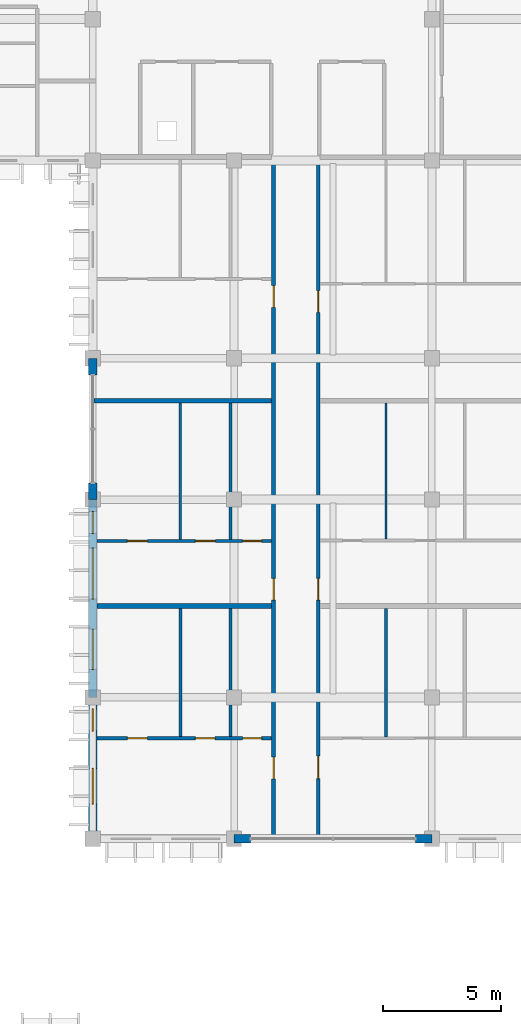
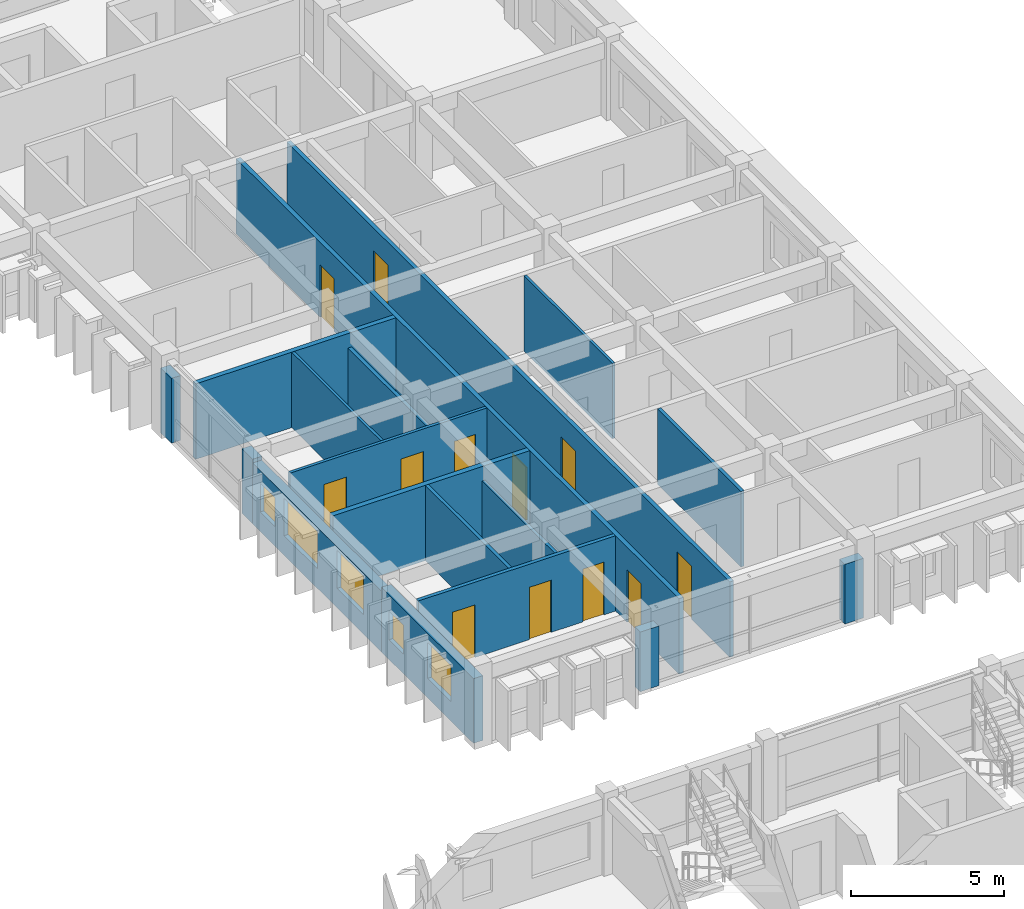
# One storey, part 45 of 79: 18 walls, 12 doors, 5 windows, 17 openings.
"""IFC4 building model written with IfcOpenShell, lengths in metres."""

from ifc_helpers import new_model, si_unit, direction, frame, frame_2d, origin, place, context, subcontext, project, spatial, rectangle, extrude, material, layer, layer_set, type_object, element, fill, save


model = new_model("IFC4")

# Units and contexts
model_context = context("Model", 3, precision=1e-05, world=origin(), true_north=direction((0.0, 1.0)))
body_context = subcontext(model_context, "Body", "Model", "MODEL_VIEW")
ifc_project = project(units=[si_unit("LENGTHUNIT", "METRE"), si_unit("AREAUNIT", "SQUARE_METRE"), si_unit("VOLUMEUNIT", "CUBIC_METRE"), si_unit("PLANEANGLEUNIT", "RADIAN"), si_unit("MASSUNIT", "GRAM", prefix="KILO"), si_unit("THERMODYNAMICTEMPERATUREUNIT", "KELVIN")], contexts=[model_context])

# Site, building, storey
site_placement = place(None, origin())
site = spatial("IfcSite", under=ifc_project, at=site_placement, CompositionType="ELEMENT")
building_placement = place(site_placement, origin())
building = spatial("IfcBuilding", under=site, at=building_placement, Name="Thalorik Housing Commons", CompositionType="ELEMENT")
storey_placement = place(building_placement, frame((0.0, 0.0, 11.39990234375)))
storey = spatial("IfcBuildingStorey", under=building, at=storey_placement, Name="L03", CompositionType="ELEMENT", Elevation=11.39990234375)

# Wall, openings, doors
ifc_material_1 = material(Name="Masonry fire-rated corridor wall", Category="masonry")
ifc_layer_1 = layer(ifc_material_1, 0.14990234375, Name="Masonry fire-rated corridor wall", Category="masonry")
ifc_layer_set_1 = layer_set([ifc_layer_1], Name="Masonry fire-rated corridor wall")
wall_type_1 = type_object("IfcWallType", Name="ARC-WAL-CORR-150", PredefinedType="PARTITIONING", material=ifc_layer_set_1)
wall_1_placement = place(storey_placement, frame((161.97998046875, 80.4599609375, 0.0), z_axis=(0.0, 0.0, 1.0), x_axis=(0.0, 1.0, 0.0)))
wall_1 = element("IfcWall", 1, at=wall_1_placement, inside=storey, type_object=wall_type_1, Name="L03 Block B E Corridor Wall 2", PredefinedType="PARTITIONING", context=body_context, shape_type="SweptSolid", body=[
    extrude(rectangle(XDim=28.880126953125, YDim=0.14990234375, at=frame_2d((14.43994140625, 0.0))), origin(), (0.0, 0.0, 1.0), 3.0),
])
opening_1_placement = place(wall_1_placement, frame((2.4873046875, 0.0, 0.0)))
opening_1 = element("IfcOpeningElement", 2, at=opening_1_placement, cuts=wall_1, Name="Opening ID-1120", PredefinedType="OPENING", context=body_context, shape_type="SweptSolid", body=[
    extrude(rectangle(XDim=0.9599609375, YDim=2.1201171875, at=frame_2d((0.47998046875, 1.06005859375))), frame((0.0, 0.0849609375, 0.0), z_axis=(0.0, -1.0, 0.0), x_axis=(1.0, 0.0, 0.0)), (0.0, 0.0, 1.0), 0.169921875),
])
opening_2_placement = place(wall_1_placement, frame((10.070068359375, 0.0, 0.0)))
opening_2 = element("IfcOpeningElement", 3, at=opening_2_placement, cuts=wall_1, Name="Opening ID-1121", PredefinedType="OPENING", context=body_context, shape_type="SweptSolid", body=[
    extrude(rectangle(XDim=0.919921875, YDim=2.10009765625, at=frame_2d((0.4599609375, 1.050048828125))), frame((0.0, 0.0849609375, 0.0), z_axis=(0.0, -1.0, 0.0), x_axis=(1.0, 0.0, 0.0)), (0.0, 0.0, 1.0), 0.169921875),
])
opening_3_placement = place(wall_1_placement, frame((22.293212890625, 0.0, 0.0)))
opening_3 = element("IfcOpeningElement", 4, at=opening_3_placement, cuts=wall_1, Name="Opening ID-1122", PredefinedType="OPENING", context=body_context, shape_type="SweptSolid", body=[
    extrude(rectangle(XDim=0.919921875, YDim=2.10009765625, at=frame_2d((0.4599609375, 1.050048828125))), frame((0.0, 0.0849609375, 0.0), z_axis=(0.0, -1.0, 0.0), x_axis=(1.0, 0.0, 0.0)), (0.0, 0.0, 1.0), 0.169921875),
])
ifc_material_2 = material(Name="Solid core hardwood timber", Category="wood")
door_type_1 = type_object("IfcDoorType", Name="ARC-DR-FD30-920", OperationType="NOTDEFINED", PredefinedType="DOOR", material=ifc_material_2)
door_1_placement = place(opening_2_placement, origin())
door_1 = element("IfcDoor", 5, at=door_1_placement, inside=storey, type_object=door_type_1, Name="L03 Flat BE-2B Entrance Door", OperationType="SINGLE_SWING_RIGHT", OverallHeight=2.10009765625, OverallWidth=0.919921875, PredefinedType="DOOR", context=body_context, shape_type="SweptSolid", body=[
    extrude(rectangle(XDim=0.919921875, YDim=2.10009765625, at=frame_2d((0.4599609375, 1.050048828125))), frame((0.0, 0.02490234375, 0.0), z_axis=(0.0, -1.0, 0.0), x_axis=(1.0, 0.0, 0.0)), (0.0, 0.0, 1.0), 0.050048828125),
])
fill(opening_2, door_1)
door_2_placement = place(opening_3_placement, origin())
door_2 = element("IfcDoor", 6, at=door_2_placement, inside=storey, type_object=door_type_1, Name="L03 Flat BE-3B Entrance Door", OperationType="SINGLE_SWING_LEFT", OverallHeight=2.10009765625, OverallWidth=0.919921875, PredefinedType="DOOR", context=body_context, shape_type="SweptSolid", body=[
    extrude(rectangle(XDim=0.919921875, YDim=2.10009765625, at=frame_2d((0.4599609375, 1.050048828125))), frame((0.0, 0.02490234375, 0.0), z_axis=(0.0, -1.0, 0.0), x_axis=(1.0, 0.0, 0.0)), (0.0, 0.0, 1.0), 0.050048828125),
])
fill(opening_3, door_2)
door_type_2 = type_object("IfcDoorType", Name="ARC-DR-FD30-960", OperationType="NOTDEFINED", PredefinedType="DOOR", material=ifc_material_2)
door_3_placement = place(opening_1_placement, origin())
door_3 = element("IfcDoor", 7, at=door_3_placement, inside=storey, type_object=door_type_2, Name="L03 Flat BE-1B Entrance Door", OperationType="SINGLE_SWING_LEFT", OverallHeight=2.1201171875, OverallWidth=0.9599609375, PredefinedType="DOOR", context=body_context, shape_type="SweptSolid", body=[
    extrude(rectangle(XDim=0.9599609375, YDim=2.1201171875, at=frame_2d((0.47998046875, 1.06005859375))), frame((0.0, 0.02490234375, 0.0), z_axis=(0.0, -1.0, 0.0), x_axis=(1.0, 0.0, 0.0)), (0.0, 0.0, 1.0), 0.050048828125),
])
fill(opening_1, door_3)

ifc_layer_2 = layer(ifc_material_1, 0.1650390625, Name="Masonry fire-rated corridor wall", Category="masonry")
ifc_layer_set_2 = layer_set([ifc_layer_2], Name="Masonry fire-rated corridor wall")
wall_type_2 = type_object("IfcWallType", Name="ARC-WAL-CORR-165", PredefinedType="PARTITIONING", material=ifc_layer_set_2)
wall_2_placement = place(storey_placement, frame((160.080078125, 80.4599609375, 0.0), z_axis=(0.0, 0.0, 1.0), x_axis=(0.0, 1.0, 0.0)))
wall_2 = element("IfcWall", 8, at=wall_2_placement, inside=storey, type_object=wall_type_2, Name="L03 Block B E Corridor Wall 1", PredefinedType="PARTITIONING", context=body_context, shape_type="SweptSolid", body=[
    extrude(rectangle(XDim=28.880126953125, YDim=0.1650390625, at=frame_2d((14.43994140625, 0.0))), origin(), (0.0, 0.0, 1.0), 3.0),
])
opening_4_placement = place(wall_2_placement, frame((2.484375, 0.0, 0.0)))
opening_4 = element("IfcOpeningElement", 9, at=opening_4_placement, cuts=wall_2, Name="Opening ID-1117", PredefinedType="OPENING", context=body_context, shape_type="SweptSolid", body=[
    extrude(rectangle(XDim=0.919921875, YDim=2.10009765625, at=frame_2d((0.4599609375, 1.050048828125))), frame((0.0, 0.092529296875, 0.0), z_axis=(0.0, -1.0, 0.0), x_axis=(1.0, 0.0, 0.0)), (0.0, 0.0, 1.0), 0.18505859375),
])
opening_5_placement = place(wall_2_placement, frame((10.070068359375, 0.0, 0.0)))
opening_5 = element("IfcOpeningElement", 10, at=opening_5_placement, cuts=wall_2, Name="Opening ID-1118", PredefinedType="OPENING", context=body_context, shape_type="SweptSolid", body=[
    extrude(rectangle(XDim=0.919921875, YDim=2.10009765625, at=frame_2d((0.4599609375, 1.050048828125))), frame((0.0, 0.092529296875, 0.0), z_axis=(0.0, -1.0, 0.0), x_axis=(1.0, 0.0, 0.0)), (0.0, 0.0, 1.0), 0.18505859375),
])
opening_6_placement = place(wall_2_placement, frame((22.5, 0.0, 0.0)))
opening_6 = element("IfcOpeningElement", 11, at=opening_6_placement, cuts=wall_2, Name="Opening ID-1119", PredefinedType="OPENING", context=body_context, shape_type="SweptSolid", body=[
    extrude(rectangle(XDim=0.919921875, YDim=2.10009765625, at=frame_2d((0.4599609375, 1.050048828125))), frame((0.0, 0.092529296875, 0.0), z_axis=(0.0, -1.0, 0.0), x_axis=(1.0, 0.0, 0.0)), (0.0, 0.0, 1.0), 0.18505859375),
])
door_4_placement = place(opening_4_placement, origin())
door_4 = element("IfcDoor", 12, at=door_4_placement, inside=storey, type_object=door_type_1, Name="L03 Flat BE-1A Entrance Door", OperationType="SINGLE_SWING_RIGHT", OverallHeight=2.10009765625, OverallWidth=0.919921875, PredefinedType="DOOR", context=body_context, shape_type="SweptSolid", body=[
    extrude(rectangle(XDim=0.919921875, YDim=2.10009765625, at=frame_2d((0.4599609375, 1.050048828125))), frame((0.0, 0.02490234375, 0.0), z_axis=(0.0, -1.0, 0.0), x_axis=(1.0, 0.0, 0.0)), (0.0, 0.0, 1.0), 0.050048828125),
])
fill(opening_4, door_4)
door_5_placement = place(opening_5_placement, origin())
door_5 = element("IfcDoor", 13, at=door_5_placement, inside=storey, type_object=door_type_1, Name="L03 Flat BE-2A Entrance Door", OperationType="SINGLE_SWING_LEFT", OverallHeight=2.10009765625, OverallWidth=0.919921875, PredefinedType="DOOR", context=body_context, shape_type="SweptSolid", body=[
    extrude(rectangle(XDim=0.919921875, YDim=2.10009765625, at=frame_2d((0.4599609375, 1.050048828125))), frame((0.0, 0.02490234375, 0.0), z_axis=(0.0, -1.0, 0.0), x_axis=(1.0, 0.0, 0.0)), (0.0, 0.0, 1.0), 0.050048828125),
])
fill(opening_5, door_5)
door_6_placement = place(opening_6_placement, origin())
door_6 = element("IfcDoor", 14, at=door_6_placement, inside=storey, type_object=door_type_1, Name="L03 Flat BE-3A Entrance Door", OperationType="SINGLE_SWING_RIGHT", OverallHeight=2.10009765625, OverallWidth=0.919921875, PredefinedType="DOOR", context=body_context, shape_type="SweptSolid", body=[
    extrude(rectangle(XDim=0.919921875, YDim=2.10009765625, at=frame_2d((0.4599609375, 1.050048828125))), frame((0.0, 0.02490234375, 0.0), z_axis=(0.0, -1.0, 0.0), x_axis=(1.0, 0.0, 0.0)), (0.0, 0.0, 1.0), 0.050048828125),
])
fill(opening_6, door_6)

# Walls
ifc_material_3 = material(Name="White precast concrete C40/50", Category="concrete")
ifc_layer_3 = layer(ifc_material_3, 0.35009765625, Name="White precast concrete C40/50", Category="concrete")
ifc_layer_set_3 = layer_set([ifc_layer_3], Name="White precast concrete C40/50")
wall_type_3 = type_object("IfcWallType", Name="ARC-WAL-EXT-350", PredefinedType="STANDARD", material=ifc_layer_set_3)
for number, where, z_axis, x_axis, name in (
    (15, (152.39990234375, 100.800048828125, 0.0), (0.0, 0.0, 1.0), (0.0, -1.0, 0.0), "L03 Exterior Wall WAL-PIERL-L03-B-0511"),
    (16, (152.39990234375, 95.5, 0.0), (0.0, 0.0, 1.0), (0.0, -1.0, 0.0), "L03 Exterior Wall WAL-PIERR-L03-B-0511"),
):
    element("IfcWall", number, at=place(storey_placement, frame(where, z_axis=z_axis, x_axis=x_axis)), inside=storey, type_object=wall_type_3, Name=name, PredefinedType="STANDARD", context=body_context, shape_type="SweptSolid", body=[
        extrude(rectangle(XDim=0.699951171875, YDim=0.35009765625, at=frame_2d((0.35009765625, 0.0))), origin(), (0.0, 0.0, 1.0), 2.5751953125),
    ])

# Wall, openings, windows
wall_3_placement = place(storey_placement, frame((152.39990234375, 94.800048828125, 0.0), z_axis=(0.0, 0.0, 1.0), x_axis=(0.0, -1.0, 0.0)))
wall_3 = element("IfcWall", 17, at=wall_3_placement, inside=storey, type_object=wall_type_3, Name="L03 Exterior Wall WAL-EXT-L03-B-0512", PredefinedType="STANDARD", context=body_context, shape_type="SweptSolid", body=[
    extrude(rectangle(XDim=8.400146484375, YDim=0.35009765625, at=frame_2d((4.2001953125, 0.0))), origin(), (0.0, 0.0, 1.0), 2.425048828125),
])
opening_7_placement = place(wall_3_placement, frame((0.5, 0.0, 0.780029296875)))
opening_7 = element("IfcOpeningElement", 18, at=opening_7_placement, cuts=wall_3, Name="Opening W-43", PredefinedType="OPENING", context=body_context, shape_type="SweptSolid", body=[
    extrude(rectangle(XDim=0.949951171875, YDim=1.14990234375, at=frame_2d((0.47509765625, 0.574951171875))), frame((0.0, 0.18505859375, 0.0), z_axis=(0.0, -1.0, 0.0), x_axis=(1.0, 0.0, 0.0)), (0.0, 0.0, 1.0), 0.3701171875),
])
opening_8_placement = place(wall_3_placement, frame((2.050048828125, 0.0, 0.780029296875)))
opening_8 = element("IfcOpeningElement", 19, at=opening_8_placement, cuts=wall_3, Name="Opening W-65", PredefinedType="OPENING", context=body_context, shape_type="SweptSolid", body=[
    extrude(rectangle(XDim=2.179931640625, YDim=1.47998046875, at=frame_2d((1.08984375, 0.739990234375))), frame((0.0, 0.18505859375, 0.0), z_axis=(0.0, -1.0, 0.0), x_axis=(1.0, 0.0, 0.0)), (0.0, 0.0, 1.0), 0.3701171875),
])
opening_9_placement = place(wall_3_placement, frame((5.5048828125, 0.0, 0.780029296875)))
opening_9 = element("IfcOpeningElement", 20, at=opening_9_placement, cuts=wall_3, Name="Opening W-56", PredefinedType="OPENING", context=body_context, shape_type="SweptSolid", body=[
    extrude(rectangle(XDim=1.719970703125, YDim=1.52001953125, at=frame_2d((0.85986328125, 0.760009765625))), frame((0.0, 0.18505859375, 0.0), z_axis=(0.0, -1.0, 0.0), x_axis=(1.0, 0.0, 0.0)), (0.0, 0.0, 1.0), 0.3701171875),
])
ifc_material_4 = material(Name="Anodised aluminium and solar-control low-E glass", Category="aluminium")
window_type_1 = type_object("IfcWindowType", Name="ARC-WIN-43", PartitioningType="SINGLE_PANEL", PredefinedType="WINDOW", material=ifc_material_4)
window_1_placement = place(opening_7_placement, origin())
window_1 = element("IfcWindow", 21, at=window_1_placement, inside=storey, type_object=window_type_1, Name="L03 Facade Window 921", OverallHeight=1.14990234375, OverallWidth=0.949951171875, PartitioningType="SINGLE_PANEL", PredefinedType="WINDOW", context=body_context, shape_type="SweptSolid", body=[
    extrude(rectangle(XDim=0.949951171875, YDim=1.14990234375, at=frame_2d((0.47509765625, 0.574951171875))), frame((0.0, 0.030029296875, 0.0), z_axis=(0.0, -1.0, 0.0), x_axis=(1.0, 0.0, 0.0)), (0.0, 0.0, 1.0), 0.06005859375),
])
fill(opening_7, window_1)
window_type_2 = type_object("IfcWindowType", Name="ARC-WIN-56", PartitioningType="DOUBLE_PANEL_VERTICAL", PredefinedType="WINDOW", material=ifc_material_4)
window_2_placement = place(opening_9_placement, origin())
window_2 = element("IfcWindow", 22, at=window_2_placement, inside=storey, type_object=window_type_2, Name="L03 Facade Window 923", OverallHeight=1.52001953125, OverallWidth=1.719970703125, PartitioningType="DOUBLE_PANEL_VERTICAL", PredefinedType="WINDOW", context=body_context, shape_type="SweptSolid", body=[
    extrude(rectangle(XDim=1.719970703125, YDim=1.52001953125, at=frame_2d((0.85986328125, 0.760009765625))), frame((0.0, 0.030029296875, 0.0), z_axis=(0.0, -1.0, 0.0), x_axis=(1.0, 0.0, 0.0)), (0.0, 0.0, 1.0), 0.06005859375),
])
fill(opening_9, window_2)
window_type_3 = type_object("IfcWindowType", Name="ARC-WIN-65", PartitioningType="DOUBLE_PANEL_VERTICAL", PredefinedType="WINDOW", material=ifc_material_4)
window_3_placement = place(opening_8_placement, origin())
window_3 = element("IfcWindow", 23, at=window_3_placement, inside=storey, type_object=window_type_3, Name="L03 Facade Window 922", OverallHeight=1.47998046875, OverallWidth=2.179931640625, PartitioningType="DOUBLE_PANEL_VERTICAL", PredefinedType="WINDOW", context=body_context, shape_type="SweptSolid", body=[
    extrude(rectangle(XDim=2.179931640625, YDim=1.47998046875, at=frame_2d((1.08984375, 0.739990234375))), frame((0.0, 0.030029296875, 0.0), z_axis=(0.0, -1.0, 0.0), x_axis=(1.0, 0.0, 0.0)), (0.0, 0.0, 1.0), 0.06005859375),
])
fill(opening_8, window_3)

wall_4_placement = place(storey_placement, frame((152.39990234375, 86.39990234375, 0.0), z_axis=(0.0, 0.0, 1.0), x_axis=(0.0, -1.0, 0.0)))
wall_4 = element("IfcWall", 24, at=wall_4_placement, inside=storey, type_object=wall_type_3, Name="L03 Exterior Wall WAL-EXT-L03-B-0513", PredefinedType="STANDARD", context=body_context, shape_type="SweptSolid", body=[
    extrude(rectangle(XDim=6.0, YDim=0.35009765625, at=frame_2d((3.0, 0.0))), origin(), (0.0, 0.0, 1.0), 2.5751953125),
])
opening_10_placement = place(wall_4_placement, frame((0.485107421875, 0.0, 0.780029296875)))
opening_10 = element("IfcOpeningElement", 25, at=opening_10_placement, cuts=wall_4, Name="Opening W-43", PredefinedType="OPENING", context=body_context, shape_type="SweptSolid", body=[
    extrude(rectangle(XDim=0.949951171875, YDim=1.14990234375, at=frame_2d((0.47509765625, 0.574951171875))), frame((0.0, 0.18505859375, 0.0), z_axis=(0.0, -1.0, 0.0), x_axis=(1.0, 0.0, 0.0)), (0.0, 0.0, 1.0), 0.3701171875),
])
opening_11_placement = place(wall_4_placement, frame((3.010009765625, 0.0, 0.780029296875)))
opening_11 = element("IfcOpeningElement", 26, at=opening_11_placement, cuts=wall_4, Name="Opening W-52", PredefinedType="OPENING", context=body_context, shape_type="SweptSolid", body=[
    extrude(rectangle(XDim=1.52001953125, YDim=1.419921875, at=frame_2d((0.760009765625, 0.7099609375))), frame((0.0, 0.18505859375, 0.0), z_axis=(0.0, -1.0, 0.0), x_axis=(1.0, 0.0, 0.0)), (0.0, 0.0, 1.0), 0.3701171875),
])
window_4_placement = place(opening_10_placement, origin())
window_4 = element("IfcWindow", 27, at=window_4_placement, inside=storey, type_object=window_type_1, Name="L03 Facade Window 924", OverallHeight=1.14990234375, OverallWidth=0.949951171875, PartitioningType="SINGLE_PANEL", PredefinedType="WINDOW", context=body_context, shape_type="SweptSolid", body=[
    extrude(rectangle(XDim=0.949951171875, YDim=1.14990234375, at=frame_2d((0.47509765625, 0.574951171875))), frame((0.0, 0.030029296875, 0.0), z_axis=(0.0, -1.0, 0.0), x_axis=(1.0, 0.0, 0.0)), (0.0, 0.0, 1.0), 0.06005859375),
])
fill(opening_10, window_4)
window_type_4 = type_object("IfcWindowType", Name="ARC-WIN-52", PartitioningType="SINGLE_PANEL", PredefinedType="WINDOW", material=ifc_material_4)
window_5_placement = place(opening_11_placement, origin())
window_5 = element("IfcWindow", 28, at=window_5_placement, inside=storey, type_object=window_type_4, Name="L03 Facade Window 925", OverallHeight=1.419921875, OverallWidth=1.52001953125, PartitioningType="SINGLE_PANEL", PredefinedType="WINDOW", context=body_context, shape_type="SweptSolid", body=[
    extrude(rectangle(XDim=1.52001953125, YDim=1.419921875, at=frame_2d((0.760009765625, 0.7099609375))), frame((0.0, 0.030029296875, 0.0), z_axis=(0.0, -1.0, 0.0), x_axis=(1.0, 0.0, 0.0)), (0.0, 0.0, 1.0), 0.06005859375),
])
fill(opening_11, window_5)

# Walls
wall_5_placement = place(storey_placement, frame((158.39990234375, 80.39990234375, 0.0), z_axis=(0.0, 0.0, 1.0), x_axis=(1.0, 0.0, 0.0)))
element("IfcWall", 29, at=wall_5_placement, inside=storey, type_object=wall_type_3, Name="L03 Exterior Wall WAL-PIERL-L03-B-0515", PredefinedType="STANDARD", context=body_context, shape_type="SweptSolid", body=[
    extrude(rectangle(XDim=0.7001953125, YDim=0.35009765625, at=frame_2d((0.35009765625, 0.0))), origin(), (0.0, 0.0, 1.0), 2.375),
])
wall_6_placement = place(storey_placement, frame((166.10009765625, 80.39990234375, 0.0), z_axis=(0.0, 0.0, 1.0), x_axis=(1.0, 0.0, 0.0)))
element("IfcWall", 30, at=wall_6_placement, inside=storey, type_object=wall_type_3, Name="L03 Exterior Wall WAL-PIERR-L03-B-0515", PredefinedType="STANDARD", context=body_context, shape_type="SweptSolid", body=[
    extrude(rectangle(XDim=0.699951171875, YDim=0.35009765625, at=frame_2d((0.35009765625, 0.0))), origin(), (0.0, 0.0, 1.0), 2.375),
])
ifc_material_5 = material(Name="Gypsum light stud partition", Category="masonry")
ifc_layer_4 = layer(ifc_material_5, 0.10009765625, Name="Gypsum light stud partition", Category="masonry")
ifc_layer_set_4 = layer_set([ifc_layer_4], Name="Gypsum light stud partition")
wall_type_4 = type_object("IfcWallType", Name="ARC-WAL-PART-100", PredefinedType="PARTITIONING", material=ifc_layer_set_4)
wall_7_placement = place(storey_placement, frame((156.11767578125, 93.099609375, 0.0), z_axis=(0.0, 0.0, 1.0), x_axis=(0.0, 1.0, 0.0)))
element("IfcWall", 31, at=wall_7_placement, inside=storey, type_object=wall_type_4, Name="L03 Unit 2 Bedroom Partition", PredefinedType="PARTITIONING", context=body_context, shape_type="SweptSolid", body=[
    extrude(rectangle(XDim=5.805908203125, YDim=0.10009765625, at=frame_2d((2.90283203125, 0.0))), origin(), (0.0, 0.0, 1.0), 3.0),
])
wall_8_placement = place(storey_placement, frame((164.850341796875, 93.130126953125, 0.0), z_axis=(0.0, 0.0, 1.0), x_axis=(0.0, 1.0, 0.0)))
element("IfcWall", 32, at=wall_8_placement, inside=storey, type_object=wall_type_4, Name="L03 Unit 2B Wet Wall", PredefinedType="PARTITIONING", context=body_context, shape_type="SweptSolid", body=[
    extrude(rectangle(XDim=5.767822265625, YDim=0.10009765625, at=frame_2d((2.8837890625, 0.0))), origin(), (0.0, 0.0, 1.0), 3.0),
])
ifc_material_6 = material(Name="Gypsum moisture-resistant partition", Category="masonry")
ifc_layer_5 = layer(ifc_material_6, 0.114990234375, Name="Gypsum moisture-resistant partition", Category="masonry")
ifc_layer_set_5 = layer_set([ifc_layer_5], Name="Gypsum moisture-resistant partition")
wall_type_5 = type_object("IfcWallType", Name="ARC-WAL-PART-115", PredefinedType="PARTITIONING", material=ifc_layer_set_5)
wall_9_placement = place(storey_placement, frame((158.251220703125, 84.741943359375, 0.0), z_axis=(0.0, 0.0, 1.0), x_axis=(0.0, 1.0, 0.0)))
element("IfcWall", 33, at=wall_9_placement, inside=storey, type_object=wall_type_5, Name="L03 Unit 1 Wet Wall", PredefinedType="PARTITIONING", context=body_context, shape_type="SweptSolid", body=[
    extrude(rectangle(XDim=5.43603515625, YDim=0.114990234375, at=frame_2d((2.718017578125, 0.0))), origin(), (0.0, 0.0, 1.0), 2.425048828125),
])

# Wall, openings, doors
wall_10_placement = place(storey_placement, frame((152.576904296875, 93.0400390625, 0.0), z_axis=(0.0, 0.0, 1.0), x_axis=(1.0, 0.0, 0.0)))
wall_10 = element("IfcWall", 34, at=wall_10_placement, inside=storey, type_object=wall_type_5, Name="L03 Unit 2 Spine Partition", PredefinedType="PARTITIONING", context=body_context, shape_type="SweptSolid", body=[
    extrude(rectangle(XDim=7.418701171875, YDim=0.114990234375, at=frame_2d((3.70947265625, 0.0))), origin(), (0.0, 0.0, 1.0), 3.0),
])
opening_12_placement = place(wall_10_placement, frame((1.286865234375, 0.0, 0.0)))
opening_12 = element("IfcOpeningElement", 35, at=opening_12_placement, cuts=wall_10, Name="Opening ID-1105", PredefinedType="OPENING", context=body_context, shape_type="SweptSolid", body=[
    extrude(rectangle(XDim=0.85009765625, YDim=2.10009765625, at=frame_2d((0.425048828125, 1.050048828125))), frame((0.0, 0.0673828125, 0.0), z_axis=(0.0, -1.0, 0.0), x_axis=(1.0, 0.0, 0.0)), (0.0, 0.0, 1.0), 0.135009765625),
])
opening_13_placement = place(wall_10_placement, frame((4.182373046875, 0.0, 0.0)))
opening_13 = element("IfcOpeningElement", 36, at=opening_13_placement, cuts=wall_10, Name="Opening ID-1106", PredefinedType="OPENING", context=body_context, shape_type="SweptSolid", body=[
    extrude(rectangle(XDim=0.85009765625, YDim=2.10009765625, at=frame_2d((0.425048828125, 1.050048828125))), frame((0.0, 0.0673828125, 0.0), z_axis=(0.0, -1.0, 0.0), x_axis=(1.0, 0.0, 0.0)), (0.0, 0.0, 1.0), 0.135009765625),
])
opening_14_placement = place(wall_10_placement, frame((6.188720703125, 0.0, 0.0)))
opening_14 = element("IfcOpeningElement", 37, at=opening_14_placement, cuts=wall_10, Name="Opening ID-1107", PredefinedType="OPENING", context=body_context, shape_type="SweptSolid", body=[
    extrude(rectangle(XDim=0.800048828125, YDim=2.10009765625, at=frame_2d((0.39990234375, 1.050048828125))), frame((0.0, 0.0673828125, 0.0), z_axis=(0.0, -1.0, 0.0), x_axis=(1.0, 0.0, 0.0)), (0.0, 0.0, 1.0), 0.135009765625),
])
ifc_material_7 = material(Name="Moisture-resistant timber", Category="wood")
door_type_3 = type_object("IfcDoorType", Name="ARC-DR-INT-800", OperationType="NOTDEFINED", PredefinedType="DOOR", material=ifc_material_7)
door_7_placement = place(opening_14_placement, origin())
door_7 = element("IfcDoor", 38, at=door_7_placement, inside=storey, type_object=door_type_3, Name="L03 Accessible Bathroom Door", OperationType="SINGLE_SWING_RIGHT", OverallHeight=2.10009765625, OverallWidth=0.800048828125, PredefinedType="DOOR", context=body_context, shape_type="SweptSolid", body=[
    extrude(rectangle(XDim=0.800048828125, YDim=2.10009765625, at=frame_2d((0.39990234375, 1.050048828125))), frame((0.0, 0.02490234375, 0.0), z_axis=(0.0, -1.0, 0.0), x_axis=(1.0, 0.0, 0.0)), (0.0, 0.0, 1.0), 0.050048828125),
])
fill(opening_14, door_7)
ifc_material_8 = material(Name="Engineered oak timber", Category="wood")
door_type_4 = type_object("IfcDoorType", Name="ARC-DR-INT-850", OperationType="NOTDEFINED", PredefinedType="DOOR", material=ifc_material_8)
door_8_placement = place(opening_12_placement, origin())
door_8 = element("IfcDoor", 39, at=door_8_placement, inside=storey, type_object=door_type_4, Name="L03 Double Bedroom Door", OperationType="SINGLE_SWING_RIGHT", OverallHeight=2.10009765625, OverallWidth=0.85009765625, PredefinedType="DOOR", context=body_context, shape_type="SweptSolid", body=[
    extrude(rectangle(XDim=0.85009765625, YDim=2.10009765625, at=frame_2d((0.425048828125, 1.050048828125))), frame((0.0, 0.02490234375, 0.0), z_axis=(0.0, -1.0, 0.0), x_axis=(1.0, 0.0, 0.0)), (0.0, 0.0, 1.0), 0.050048828125),
])
fill(opening_12, door_8)
door_9_placement = place(opening_13_placement, origin())
door_9 = element("IfcDoor", 40, at=door_9_placement, inside=storey, type_object=door_type_4, Name="L03 Galley Kitchen Door", OperationType="SINGLE_SWING_LEFT", OverallHeight=2.10009765625, OverallWidth=0.85009765625, PredefinedType="DOOR", context=body_context, shape_type="SweptSolid", body=[
    extrude(rectangle(XDim=0.85009765625, YDim=2.10009765625, at=frame_2d((0.425048828125, 1.050048828125))), frame((0.0, 0.02490234375, 0.0), z_axis=(0.0, -1.0, 0.0), x_axis=(1.0, 0.0, 0.0)), (0.0, 0.0, 1.0), 0.050048828125),
])
fill(opening_13, door_9)

# Walls
ifc_material_9 = material(Name="Gypsum acoustic stud partition", Category="masonry")
ifc_layer_6 = layer(ifc_material_9, 0.125, Name="Gypsum acoustic stud partition", Category="masonry")
ifc_layer_set_6 = layer_set([ifc_layer_6], Name="Gypsum acoustic stud partition")
wall_type_6 = type_object("IfcWallType", Name="ARC-WAL-PART-125", PredefinedType="PARTITIONING", material=ifc_layer_set_6)
wall_11_placement = place(storey_placement, frame((156.11767578125, 84.741943359375, 0.0), z_axis=(0.0, 0.0, 1.0), x_axis=(0.0, 1.0, 0.0)))
element("IfcWall", 41, at=wall_11_placement, inside=storey, type_object=wall_type_6, Name="L03 Unit 1 Bedroom Partition", PredefinedType="PARTITIONING", context=body_context, shape_type="SweptSolid", body=[
    extrude(rectangle(XDim=5.43603515625, YDim=0.125, at=frame_2d((2.718017578125, 0.0))), origin(), (0.0, 0.0, 1.0), 3.0),
])
wall_12_placement = place(storey_placement, frame((164.850341796875, 84.7255859375, 0.0), z_axis=(0.0, 0.0, 1.0), x_axis=(0.0, 1.0, 0.0)))
element("IfcWall", 42, at=wall_12_placement, inside=storey, type_object=wall_type_6, Name="L03 Unit 1B Wet Wall", PredefinedType="PARTITIONING", context=body_context, shape_type="SweptSolid", body=[
    extrude(rectangle(XDim=5.4423828125, YDim=0.125, at=frame_2d((2.72119140625, 0.0))), origin(), (0.0, 0.0, 1.0), 3.0),
])

# Wall, openings, doors
ifc_material_10 = material(Name="Ceramic masonry partition wall", Category="masonry")
ifc_layer_7 = layer(ifc_material_10, 0.139892578125, Name="Ceramic masonry partition wall", Category="masonry")
ifc_layer_set_7 = layer_set([ifc_layer_7], Name="Ceramic masonry partition wall")
wall_type_7 = type_object("IfcWallType", Name="ARC-WAL-PART-140", PredefinedType="PARTITIONING", material=ifc_layer_set_7)
wall_13_placement = place(storey_placement, frame((152.576904296875, 84.669921875, 0.0), z_axis=(0.0, 0.0, 1.0), x_axis=(1.0, 0.0, 0.0)))
wall_13 = element("IfcWall", 43, at=wall_13_placement, inside=storey, type_object=wall_type_7, Name="L03 Unit 1 Spine Partition", PredefinedType="PARTITIONING", context=body_context, shape_type="SweptSolid", body=[
    extrude(rectangle(XDim=7.418701171875, YDim=0.139892578125, at=frame_2d((3.70947265625, 0.0))), origin(), (0.0, 0.0, 1.0), 3.0),
])
opening_15_placement = place(wall_13_placement, frame((1.286865234375, 0.0, 0.0)))
opening_15 = element("IfcOpeningElement", 44, at=opening_15_placement, cuts=wall_13, Name="Opening ID-1099", PredefinedType="OPENING", context=body_context, shape_type="SweptSolid", body=[
    extrude(rectangle(XDim=0.85009765625, YDim=2.10009765625, at=frame_2d((0.425048828125, 1.050048828125))), frame((0.0, 0.080078125, 0.0), z_axis=(0.0, -1.0, 0.0), x_axis=(1.0, 0.0, 0.0)), (0.0, 0.0, 1.0), 0.159912109375),
])
opening_16_placement = place(wall_13_placement, frame((4.182373046875, 0.0, 0.0)))
opening_16 = element("IfcOpeningElement", 45, at=opening_16_placement, cuts=wall_13, Name="Opening ID-1100", PredefinedType="OPENING", context=body_context, shape_type="SweptSolid", body=[
    extrude(rectangle(XDim=0.820068359375, YDim=2.080078125, at=frame_2d((0.41015625, 1.0400390625))), frame((0.0, 0.080078125, 0.0), z_axis=(0.0, -1.0, 0.0), x_axis=(1.0, 0.0, 0.0)), (0.0, 0.0, 1.0), 0.159912109375),
])
opening_17_placement = place(wall_13_placement, frame((6.188720703125, 0.0, 0.0)))
opening_17 = element("IfcOpeningElement", 46, at=opening_17_placement, cuts=wall_13, Name="Opening ID-1101", PredefinedType="OPENING", context=body_context, shape_type="SweptSolid", body=[
    extrude(rectangle(XDim=0.800048828125, YDim=2.10009765625, at=frame_2d((0.39990234375, 1.050048828125))), frame((0.0, 0.080078125, 0.0), z_axis=(0.0, -1.0, 0.0), x_axis=(1.0, 0.0, 0.0)), (0.0, 0.0, 1.0), 0.159912109375),
])
door_10_placement = place(opening_17_placement, origin())
door_10 = element("IfcDoor", 47, at=door_10_placement, inside=storey, type_object=door_type_3, Name="L03 Flat Bathroom Door", OperationType="SINGLE_SWING_RIGHT", OverallHeight=2.10009765625, OverallWidth=0.800048828125, PredefinedType="DOOR", context=body_context, shape_type="SweptSolid", body=[
    extrude(rectangle(XDim=0.800048828125, YDim=2.10009765625, at=frame_2d((0.39990234375, 1.050048828125))), frame((0.0, 0.02490234375, 0.0), z_axis=(0.0, -1.0, 0.0), x_axis=(1.0, 0.0, 0.0)), (0.0, 0.0, 1.0), 0.050048828125),
])
fill(opening_17, door_10)
door_type_5 = type_object("IfcDoorType", Name="ARC-DR-INT-820", OperationType="NOTDEFINED", PredefinedType="DOOR", material=ifc_material_8)
door_11_placement = place(opening_16_placement, origin())
door_11 = element("IfcDoor", 48, at=door_11_placement, inside=storey, type_object=door_type_5, Name="L03 Galley Kitchen Door", OperationType="SINGLE_SWING_LEFT", OverallHeight=2.080078125, OverallWidth=0.820068359375, PredefinedType="DOOR", context=body_context, shape_type="SweptSolid", body=[
    extrude(rectangle(XDim=0.820068359375, YDim=2.080078125, at=frame_2d((0.41015625, 1.0400390625))), frame((0.0, 0.02490234375, 0.0), z_axis=(0.0, -1.0, 0.0), x_axis=(1.0, 0.0, 0.0)), (0.0, 0.0, 1.0), 0.050048828125),
])
fill(opening_16, door_11)
door_12_placement = place(opening_15_placement, origin())
door_12 = element("IfcDoor", 49, at=door_12_placement, inside=storey, type_object=door_type_4, Name="L03 Single Bedroom Door", OperationType="SINGLE_SWING_RIGHT", OverallHeight=2.10009765625, OverallWidth=0.85009765625, PredefinedType="DOOR", context=body_context, shape_type="SweptSolid", body=[
    extrude(rectangle(XDim=0.85009765625, YDim=2.10009765625, at=frame_2d((0.425048828125, 1.050048828125))), frame((0.0, 0.02490234375, 0.0), z_axis=(0.0, -1.0, 0.0), x_axis=(1.0, 0.0, 0.0)), (0.0, 0.0, 1.0), 0.050048828125),
])
fill(opening_15, door_12)

# Walls
wall_14_placement = place(storey_placement, frame((158.251220703125, 93.099609375, 0.0), z_axis=(0.0, 0.0, 1.0), x_axis=(0.0, 1.0, 0.0)))
element("IfcWall", 50, at=wall_14_placement, inside=storey, type_object=wall_type_7, Name="L03 Unit 2 Wet Wall", PredefinedType="PARTITIONING", context=body_context, shape_type="SweptSolid", body=[
    extrude(rectangle(XDim=5.805908203125, YDim=0.139892578125, at=frame_2d((2.90283203125, 0.0))), origin(), (0.0, 0.0, 1.0), 2.425048828125),
])
ifc_material_11 = material(Name="Masonry acoustic blockwork wall", Category="masonry")
ifc_layer_8 = layer(ifc_material_11, 0.18505859375, Name="Masonry acoustic blockwork wall", Category="masonry")
ifc_layer_set_8 = layer_set([ifc_layer_8], Name="Masonry acoustic blockwork wall")
wall_type_8 = type_object("IfcWallType", Name="ARC-WAL-PARTY-185", PredefinedType="PARTITIONING", material=ifc_layer_set_8)
wall_15_placement = place(storey_placement, frame((152.4599609375, 99.0, 0.0), z_axis=(0.0, 0.0, 1.0), x_axis=(1.0, 0.0, 0.0)))
element("IfcWall", 51, at=wall_15_placement, inside=storey, type_object=wall_type_8, Name="L03 Inter-Tenancy Wall 2A", PredefinedType="PARTITIONING", context=body_context, shape_type="SweptSolid", body=[
    extrude(rectangle(XDim=7.53564453125, YDim=0.18505859375, at=frame_2d((3.767822265625, 0.0))), origin(), (0.0, 0.0, 1.0), 3.0),
])
ifc_material_12 = material(Name="Precast concrete C40/50 acoustic wall", Category="concrete")
ifc_layer_9 = layer(ifc_material_12, 0.199951171875, Name="Precast concrete C40/50 acoustic wall", Category="concrete")
ifc_layer_set_9 = layer_set([ifc_layer_9], Name="Precast concrete C40/50 acoustic wall")
wall_type_9 = type_object("IfcWallType", Name="ARC-WAL-PARTY-200", PredefinedType="PARTITIONING", material=ifc_layer_set_9)
wall_16_placement = place(storey_placement, frame((152.576904296875, 90.280029296875, 0.0), z_axis=(0.0, 0.0, 1.0), x_axis=(1.0, 0.0, 0.0)))
element("IfcWall", 52, at=wall_16_placement, inside=storey, type_object=wall_type_9, Name="L03 Inter-Tenancy Wall 1A", PredefinedType="PARTITIONING", context=body_context, shape_type="SweptSolid", body=[
    extrude(rectangle(XDim=7.418701171875, YDim=0.199951171875, at=frame_2d((3.70947265625, 0.0))), origin(), (0.0, 0.0, 1.0), 3.0),
])

save(model, "model.ifc")
